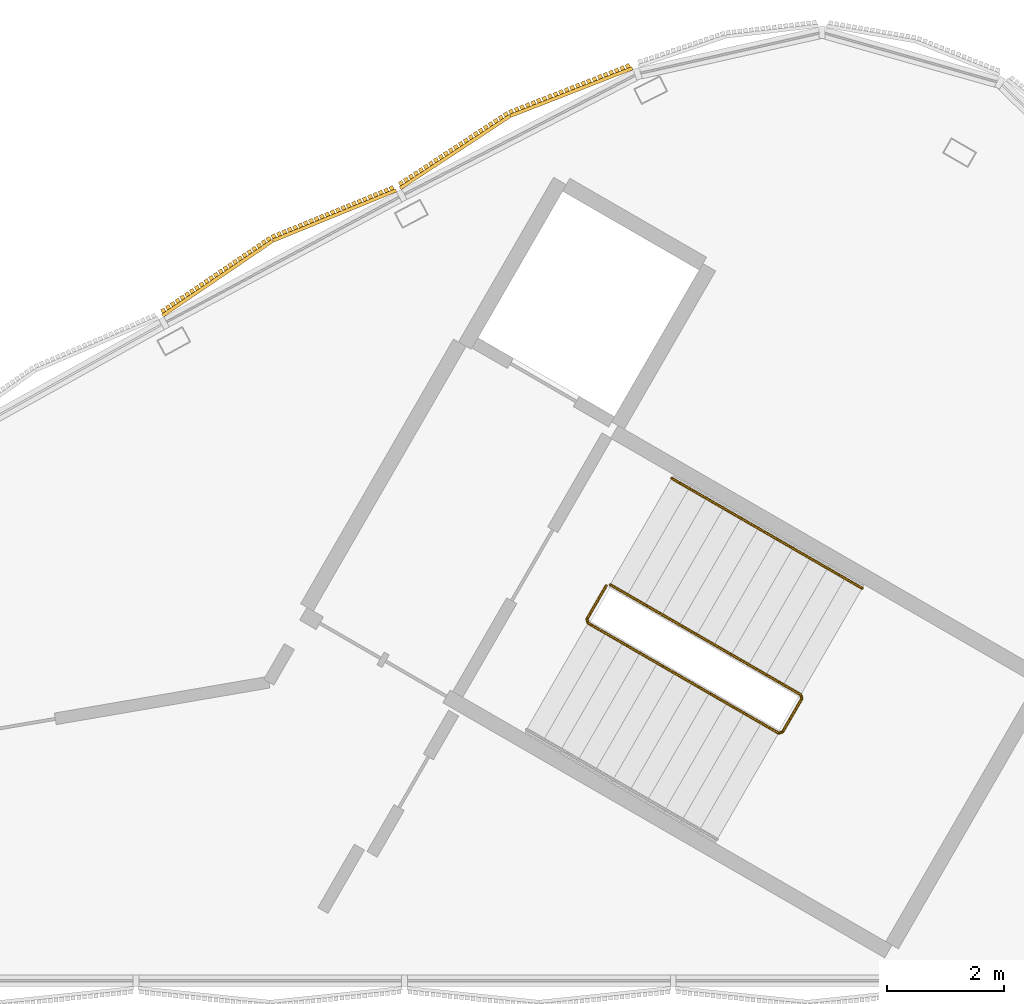
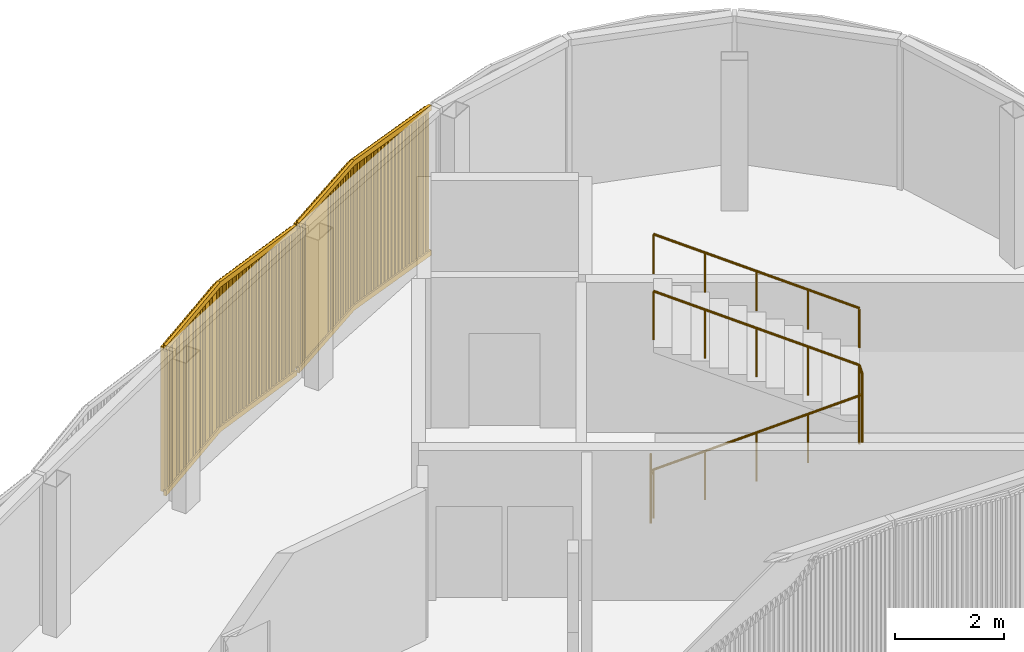
# One storey, part 14 of 16: 2 coverings, 2 railings.
"""IFC4 building model written with IfcOpenShell, lengths in metres."""

from ifc_helpers import new_model, si_unit, direction, frame, frame_2d, origin, origin_2d, place, context, subcontext, project, spatial, rectangle, circle, extrude, source, transform, mapped, material, type_object, element, save


model = new_model("IFC4")

# Units and contexts
model_context = context("Model", 3, precision=1e-05, world=origin(), true_north=direction((0.0, 1.0)))
body_context = subcontext(model_context, "Body", "Model", "MODEL_VIEW")
ifc_project = project(units=[si_unit("LENGTHUNIT", "METRE"), si_unit("AREAUNIT", "SQUARE_METRE"), si_unit("VOLUMEUNIT", "CUBIC_METRE"), si_unit("PLANEANGLEUNIT", "RADIAN"), si_unit("MASSUNIT", "GRAM", prefix="KILO")], contexts=[model_context])

# Site, building, storey
site_placement = place(None, origin())
site = spatial("IfcSite", under=ifc_project, at=site_placement, CompositionType="ELEMENT")
building_placement = place(site_placement, origin())
building = spatial("IfcBuilding", under=site, at=building_placement, Name="Tamra Quay Hotel Tower", CompositionType="ELEMENT")
storey_placement = place(building_placement, frame((0.0, 0.0, 324.199951171875)))
storey = spatial("IfcBuildingStorey", under=building, at=storey_placement, Name="Roof crown 2", CompositionType="ELEMENT", Elevation=324.199951171875)

# Railings
ifc_material_1 = material(Name="Stair guard 1100")
railing_type_1 = type_object("IfcRailingType", Name="Stair guard 1100", PredefinedType="GUARDRAIL", material=ifc_material_1)
railing_1_placement = place(storey_placement, frame((5.595458984375, 12.751953125, 0.0)))
element("IfcRailing", 1, at=railing_1_placement, inside=storey, type_object=railing_type_1, Name="GR", PredefinedType="GUARDRAIL", context=body_context, shape_type="SweptSolid", body=[
    extrude(circle(Radius=0.02392578125, at=origin_2d()), frame((0.0, 0.0, 1.076171875), z_axis=(-0.499765215335, -0.866160914346, 0.0), x_axis=(0.866160914346, -0.499765215335, 0.0)), (0.0, 0.0, 1.0), 0.658935546875),
    extrude(circle(Radius=0.02392578125, at=origin_2d()), frame((-0.329345703125, -0.57080078125, 1.076171875), z_axis=(0.110378772244, -0.410609032747, 0.905105932399), x_axis=(0.965715946433, 0.259601060869, 0.0)), (0.0, 0.0, 1.0), 0.165771484375),
    extrude(circle(Radius=0.02392578125, at=origin_2d()), frame((-0.31103515625, -0.638916015625, 1.22607421875), z_axis=(0.793078462799, -0.457933869594, 0.401650498471), x_axis=(0.500040788363, 0.866001853331, 0.0)), (0.0, 0.0, 1.0), 4.10791015625),
    extrude(circle(Radius=0.02392578125, at=origin_2d()), frame((2.94677734375, -2.52001953125, 2.8759765625), z_axis=(0.965948051503, 0.258736085224, 0.0), x_axis=(-0.258736085224, 0.965948051503, 0.0)), (0.0, 0.0, 1.0), 0.07080078125),
    extrude(circle(Radius=0.02392578125, at=origin_2d()), frame((3.01513671875, -2.501708984375, 2.8759765625), z_axis=(0.500043078269, 0.866000531106, 0.0), x_axis=(-0.866000531106, 0.500043078269, 0.0)), (0.0, 0.0, 1.0), 0.6591796875),
    extrude(circle(Radius=0.02392578125, at=origin_2d()), frame((3.3447265625, -1.930908203125, 2.8759765625), z_axis=(-0.110525977783, 0.411156637351, 0.904839338113), x_axis=(-0.965715946433, -0.259601060869, 0.0)), (0.0, 0.0, 1.0), 0.165771484375),
    extrude(circle(Radius=0.02392578125, at=origin_2d()), frame((3.326416015625, -1.86279296875, 3.02587890625), z_axis=(-0.793081581205, 0.457901355053, 0.401681409319), x_axis=(-0.500012686397, -0.866018079166, 0.0)), (0.0, 0.0, 1.0), 4.108154296875),
    extrude(circle(Radius=0.02099609375, at=origin_2d()), origin(), (0.0, 0.0, 1.0), 1.052001953125),
    extrude(circle(Radius=0.02099609375, at=origin_2d()), frame((-0.329345703125, -0.57080078125, 0.0)), (0.0, 0.0, 1.0), 1.052001953125),
    extrude(circle(Radius=0.02099609375, at=origin_2d()), frame((-0.31103515625, -0.638916015625, 0.150146484375)), (0.0, 0.0, 1.0), 1.052001953125),
    extrude(circle(Radius=0.02099609375, at=origin_2d()), frame((0.50341796875, -1.109130859375, 0.5625)), (0.0, 0.0, 1.0), 1.052001953125),
    extrude(circle(Radius=0.02099609375, at=origin_2d()), frame((1.31787109375, -1.57958984375, 0.97509765625)), (0.0, 0.0, 1.0), 1.052001953125),
    extrude(circle(Radius=0.02099609375, at=origin_2d()), frame((2.13232421875, -2.0498046875, 1.3876953125)), (0.0, 0.0, 1.0), 1.052001953125),
    extrude(circle(Radius=0.02099609375, at=origin_2d()), frame((2.94677734375, -2.52001953125, 1.800048828125)), (0.0, 0.0, 1.0), 1.052001953125),
    extrude(circle(Radius=0.02099609375, at=origin_2d()), frame((3.01513671875, -2.501708984375, 1.800048828125)), (0.0, 0.0, 1.0), 1.052001953125),
    extrude(circle(Radius=0.02099609375, at=origin_2d()), frame((3.3447265625, -1.930908203125, 1.800048828125)), (0.0, 0.0, 1.0), 1.052001953125),
    extrude(circle(Radius=0.02099609375, at=origin_2d()), frame((3.326416015625, -1.86279296875, 1.949951171875)), (0.0, 0.0, 1.0), 1.052001953125),
    extrude(circle(Radius=0.02099609375, at=origin_2d()), frame((2.511962890625, -1.392578125, 2.362548828125)), (0.0, 0.0, 1.0), 1.052001953125),
    extrude(circle(Radius=0.02099609375, at=origin_2d()), frame((1.697265625, -0.92236328125, 2.77490234375)), (0.0, 0.0, 1.0), 1.052001953125),
    extrude(circle(Radius=0.02099609375, at=origin_2d()), frame((0.8828125, -0.451904296875, 3.1875)), (0.0, 0.0, 1.0), 1.052001953125),
    extrude(circle(Radius=0.02099609375, at=origin_2d()), frame((0.068359375, 0.018310546875, 3.60009765625)), (0.0, 0.0, 1.0), 1.052001953125),
])
ifc_material_2 = material(Name="Stair handrail 900")
railing_type_2 = type_object("IfcRailingType", Name="Stair handrail 900", PredefinedType="HANDRAIL", material=ifc_material_2)
railing_2_placement = place(storey_placement, frame((9.971923828125, 12.7080078125, 1.949951171875)))
element("IfcRailing", 2, at=railing_2_placement, inside=storey, type_object=railing_type_2, Name="HR", PredefinedType="HANDRAIL", context=body_context, shape_type="SweptSolid", body=[
    extrude(circle(Radius=0.02392578125, at=origin_2d()), frame((0.0, 0.0, 0.8759765625), z_axis=(-0.793103162556, 0.457854384738, 0.401692339881), x_axis=(-0.499964013922, -0.86604617936, 0.0)), (0.0, 0.0, 1.0), 4.10791015625),
    extrude(circle(Radius=0.02099609375, at=origin_2d()), origin(), (0.0, 0.0, 1.0), 0.851806640625),
    extrude(circle(Radius=0.02099609375, at=origin_2d()), frame((-0.814453125, 0.47021484375, 0.41259765625)), (0.0, 0.0, 1.0), 0.851806640625),
    extrude(circle(Radius=0.02099609375, at=origin_2d()), frame((-1.62890625, 0.9404296875, 0.8251953125)), (0.0, 0.0, 1.0), 0.851806640625),
    extrude(circle(Radius=0.02099609375, at=origin_2d()), frame((-2.443603515625, 1.41064453125, 1.237548828125)), (0.0, 0.0, 1.0), 0.851806640625),
    extrude(circle(Radius=0.02099609375, at=origin_2d()), frame((-3.258056640625, 1.880859375, 1.650146484375)), (0.0, 0.0, 1.0), 0.851806640625),
])

# Coverings
ifc_material_3 = material(Name="Terracotta baguette extruded", Category="masonry")
covering_type = type_object("IfcCoveringType", Name="BAGUETTE SCREEN CROWN H3350", PredefinedType="USERDEFINED", material=ifc_material_3)
shared_shape_1 = source(origin(), body_context, "Body", "SweptSolid", [
    extrude(rectangle(XDim=2.244873046875, YDim=0.06005859375, at=frame_2d((1.12255859375, 0.030029296875))), frame((-2.23876953125, -0.0576171875, -0.1201171875), z_axis=(0.0, 0.0, 1.0), x_axis=(0.994521895368, -0.104528463268, 0.0)), (0.0, 0.0, 1.0), 0.1201171875),
    extrude(rectangle(XDim=2.244873046875, YDim=0.06005859375, at=frame_2d((1.12255859375, 0.030029296875))), frame((-2.23876953125, -0.0576171875, -3.35009765625), z_axis=(0.0, 0.0, 1.0), x_axis=(0.994521895368, -0.104528463268, 0.0)), (0.0, 0.0, 1.0), 0.1201171875),
    extrude(rectangle(XDim=0.070068359375, YDim=0.10009765625, at=frame_2d((0.03515625, 0.050048828125))), frame((-2.216796875, -0.13330078125, -3.2900390625)), (0.0, 0.0, 1.0), 3.22998046875),
    extrude(rectangle(XDim=0.070068359375, YDim=0.10009765625, at=frame_2d((0.03515625, 0.050048828125))), frame((-2.115234375, -0.14404296875, -3.2900390625)), (0.0, 0.0, 1.0), 3.22998046875),
    extrude(rectangle(XDim=0.070068359375, YDim=0.10009765625, at=frame_2d((0.03515625, 0.050048828125))), frame((-2.013916015625, -0.154541015625, -3.2900390625)), (0.0, 0.0, 1.0), 3.22998046875),
    extrude(rectangle(XDim=0.070068359375, YDim=0.10009765625, at=frame_2d((0.03515625, 0.050048828125))), frame((-1.912353515625, -0.165283203125, -3.2900390625)), (0.0, 0.0, 1.0), 3.22998046875),
    extrude(rectangle(XDim=0.070068359375, YDim=0.10009765625, at=frame_2d((0.03515625, 0.050048828125))), frame((-1.810791015625, -0.176025390625, -3.2900390625)), (0.0, 0.0, 1.0), 3.22998046875),
    extrude(rectangle(XDim=0.070068359375, YDim=0.10009765625, at=frame_2d((0.03515625, 0.050048828125))), frame((-1.70947265625, -0.186767578125, -3.2900390625)), (0.0, 0.0, 1.0), 3.22998046875),
    extrude(rectangle(XDim=0.070068359375, YDim=0.10009765625, at=frame_2d((0.03515625, 0.050048828125))), frame((-1.60791015625, -0.197265625, -3.2900390625)), (0.0, 0.0, 1.0), 3.22998046875),
    extrude(rectangle(XDim=0.070068359375, YDim=0.10009765625, at=frame_2d((0.03515625, 0.050048828125))), frame((-1.50634765625, -0.2080078125, -3.2900390625)), (0.0, 0.0, 1.0), 3.22998046875),
    extrude(rectangle(XDim=0.070068359375, YDim=0.10009765625, at=frame_2d((0.03515625, 0.050048828125))), frame((-1.405029296875, -0.21875, -3.2900390625)), (0.0, 0.0, 1.0), 3.22998046875),
    extrude(rectangle(XDim=0.070068359375, YDim=0.10009765625, at=frame_2d((0.03515625, 0.050048828125))), frame((-1.303466796875, -0.229248046875, -3.2900390625)), (0.0, 0.0, 1.0), 3.22998046875),
    extrude(rectangle(XDim=0.070068359375, YDim=0.10009765625, at=frame_2d((0.03515625, 0.050048828125))), frame((-1.201904296875, -0.239990234375, -3.2900390625)), (0.0, 0.0, 1.0), 3.22998046875),
    extrude(rectangle(XDim=0.070068359375, YDim=0.10009765625, at=frame_2d((0.03515625, 0.050048828125))), frame((-1.1005859375, -0.250732421875, -3.2900390625)), (0.0, 0.0, 1.0), 3.22998046875),
    extrude(rectangle(XDim=0.070068359375, YDim=0.10009765625, at=frame_2d((0.03515625, 0.050048828125))), frame((-0.9990234375, -0.26123046875, -3.2900390625)), (0.0, 0.0, 1.0), 3.22998046875),
    extrude(rectangle(XDim=0.070068359375, YDim=0.10009765625, at=frame_2d((0.03515625, 0.050048828125))), frame((-0.8974609375, -0.27197265625, -3.2900390625)), (0.0, 0.0, 1.0), 3.22998046875),
    extrude(rectangle(XDim=0.070068359375, YDim=0.10009765625, at=frame_2d((0.03515625, 0.050048828125))), frame((-0.796142578125, -0.28271484375, -3.2900390625)), (0.0, 0.0, 1.0), 3.22998046875),
    extrude(rectangle(XDim=0.070068359375, YDim=0.10009765625, at=frame_2d((0.03515625, 0.050048828125))), frame((-0.694580078125, -0.293212890625, -3.2900390625)), (0.0, 0.0, 1.0), 3.22998046875),
    extrude(rectangle(XDim=0.070068359375, YDim=0.10009765625, at=frame_2d((0.03515625, 0.050048828125))), frame((-0.593017578125, -0.303955078125, -3.2900390625)), (0.0, 0.0, 1.0), 3.22998046875),
    extrude(rectangle(XDim=0.070068359375, YDim=0.10009765625, at=frame_2d((0.03515625, 0.050048828125))), frame((-0.49169921875, -0.314697265625, -3.2900390625)), (0.0, 0.0, 1.0), 3.22998046875),
    extrude(rectangle(XDim=0.070068359375, YDim=0.10009765625, at=frame_2d((0.03515625, 0.050048828125))), frame((-0.39013671875, -0.325439453125, -3.2900390625)), (0.0, 0.0, 1.0), 3.22998046875),
    extrude(rectangle(XDim=0.070068359375, YDim=0.10009765625, at=frame_2d((0.03515625, 0.050048828125))), frame((-0.28857421875, -0.3359375, -3.2900390625)), (0.0, 0.0, 1.0), 3.22998046875),
    extrude(rectangle(XDim=0.070068359375, YDim=0.10009765625, at=frame_2d((0.03515625, 0.050048828125))), frame((-0.187255859375, -0.3466796875, -3.2900390625)), (0.0, 0.0, 1.0), 3.22998046875),
    extrude(rectangle(XDim=0.070068359375, YDim=0.10009765625, at=frame_2d((0.03515625, 0.050048828125))), frame((-0.085693359375, -0.357421875, -3.2900390625)), (0.0, 0.0, 1.0), 3.22998046875),
    extrude(rectangle(XDim=2.244873046875, YDim=0.06005859375, at=frame_2d((1.12255859375, 0.030029296875))), frame((0.00634765625, -0.292236328125, -0.1201171875), z_axis=(0.0, 0.0, 1.0), x_axis=(0.994521895368, 0.104528463268, 0.0)), (0.0, 0.0, 1.0), 0.1201171875),
    extrude(rectangle(XDim=2.244873046875, YDim=0.06005859375, at=frame_2d((1.12255859375, 0.030029296875))), frame((0.00634765625, -0.292236328125, -3.35009765625), z_axis=(0.0, 0.0, 1.0), x_axis=(0.994521895368, 0.104528463268, 0.0)), (0.0, 0.0, 1.0), 0.1201171875),
    extrude(rectangle(XDim=0.070068359375, YDim=0.10009765625, at=frame_2d((0.03515625, 0.050048828125))), frame((0.015625, -0.357421875, -3.2900390625)), (0.0, 0.0, 1.0), 3.22998046875),
    extrude(rectangle(XDim=0.070068359375, YDim=0.10009765625, at=frame_2d((0.03515625, 0.050048828125))), frame((0.1171875, -0.3466796875, -3.2900390625)), (0.0, 0.0, 1.0), 3.22998046875),
    extrude(rectangle(XDim=0.070068359375, YDim=0.10009765625, at=frame_2d((0.03515625, 0.050048828125))), frame((0.21875, -0.3359375, -3.2900390625)), (0.0, 0.0, 1.0), 3.22998046875),
    extrude(rectangle(XDim=0.070068359375, YDim=0.10009765625, at=frame_2d((0.03515625, 0.050048828125))), frame((0.320068359375, -0.325439453125, -3.2900390625)), (0.0, 0.0, 1.0), 3.22998046875),
    extrude(rectangle(XDim=0.070068359375, YDim=0.10009765625, at=frame_2d((0.03515625, 0.050048828125))), frame((0.421630859375, -0.314697265625, -3.2900390625)), (0.0, 0.0, 1.0), 3.22998046875),
    extrude(rectangle(XDim=0.070068359375, YDim=0.10009765625, at=frame_2d((0.03515625, 0.050048828125))), frame((0.523193359375, -0.303955078125, -3.2900390625)), (0.0, 0.0, 1.0), 3.22998046875),
    extrude(rectangle(XDim=0.070068359375, YDim=0.10009765625, at=frame_2d((0.03515625, 0.050048828125))), frame((0.62451171875, -0.293212890625, -3.2900390625)), (0.0, 0.0, 1.0), 3.22998046875),
    extrude(rectangle(XDim=0.070068359375, YDim=0.10009765625, at=frame_2d((0.03515625, 0.050048828125))), frame((0.72607421875, -0.28271484375, -3.2900390625)), (0.0, 0.0, 1.0), 3.22998046875),
    extrude(rectangle(XDim=0.070068359375, YDim=0.10009765625, at=frame_2d((0.03515625, 0.050048828125))), frame((0.82763671875, -0.27197265625, -3.2900390625)), (0.0, 0.0, 1.0), 3.22998046875),
    extrude(rectangle(XDim=0.070068359375, YDim=0.10009765625, at=frame_2d((0.03515625, 0.050048828125))), frame((0.928955078125, -0.26123046875, -3.2900390625)), (0.0, 0.0, 1.0), 3.22998046875),
    extrude(rectangle(XDim=0.070068359375, YDim=0.10009765625, at=frame_2d((0.03515625, 0.050048828125))), frame((1.030517578125, -0.250732421875, -3.2900390625)), (0.0, 0.0, 1.0), 3.22998046875),
    extrude(rectangle(XDim=0.070068359375, YDim=0.10009765625, at=frame_2d((0.03515625, 0.050048828125))), frame((1.132080078125, -0.239990234375, -3.2900390625)), (0.0, 0.0, 1.0), 3.22998046875),
    extrude(rectangle(XDim=0.070068359375, YDim=0.10009765625, at=frame_2d((0.03515625, 0.050048828125))), frame((1.2333984375, -0.229248046875, -3.2900390625)), (0.0, 0.0, 1.0), 3.22998046875),
    extrude(rectangle(XDim=0.070068359375, YDim=0.10009765625, at=frame_2d((0.03515625, 0.050048828125))), frame((1.3349609375, -0.21875, -3.2900390625)), (0.0, 0.0, 1.0), 3.22998046875),
    extrude(rectangle(XDim=0.070068359375, YDim=0.10009765625, at=frame_2d((0.03515625, 0.050048828125))), frame((1.4365234375, -0.2080078125, -3.2900390625)), (0.0, 0.0, 1.0), 3.22998046875),
    extrude(rectangle(XDim=0.070068359375, YDim=0.10009765625, at=frame_2d((0.03515625, 0.050048828125))), frame((1.537841796875, -0.197265625, -3.2900390625)), (0.0, 0.0, 1.0), 3.22998046875),
    extrude(rectangle(XDim=0.070068359375, YDim=0.10009765625, at=frame_2d((0.03515625, 0.050048828125))), frame((1.639404296875, -0.186767578125, -3.2900390625)), (0.0, 0.0, 1.0), 3.22998046875),
    extrude(rectangle(XDim=0.070068359375, YDim=0.10009765625, at=frame_2d((0.03515625, 0.050048828125))), frame((1.740966796875, -0.176025390625, -3.2900390625)), (0.0, 0.0, 1.0), 3.22998046875),
    extrude(rectangle(XDim=0.070068359375, YDim=0.10009765625, at=frame_2d((0.03515625, 0.050048828125))), frame((1.84228515625, -0.165283203125, -3.2900390625)), (0.0, 0.0, 1.0), 3.22998046875),
    extrude(rectangle(XDim=0.070068359375, YDim=0.10009765625, at=frame_2d((0.03515625, 0.050048828125))), frame((1.94384765625, -0.154541015625, -3.2900390625)), (0.0, 0.0, 1.0), 3.22998046875),
    extrude(rectangle(XDim=0.070068359375, YDim=0.10009765625, at=frame_2d((0.03515625, 0.050048828125))), frame((2.045166015625, -0.14404296875, -3.2900390625)), (0.0, 0.0, 1.0), 3.22998046875),
    extrude(rectangle(XDim=0.070068359375, YDim=0.10009765625, at=frame_2d((0.03515625, 0.050048828125))), frame((2.146728515625, -0.13330078125, -3.2900390625)), (0.0, 0.0, 1.0), 3.22998046875),
])
covering_1_placement = place(storey_placement, frame((4.072021484375, 20.548583984375, 3.35009765625), z_axis=(0.0, 0.0, 1.0), x_axis=(-0.888486270479, -0.458903200218, 0.0)))
element("IfcCovering", 3, at=covering_1_placement, inside=storey, type_object=covering_type, Name="Baguette screen Roof crown 2.A.f05", ObjectType="BAGUETTE SCREEN", PredefinedType="USERDEFINED", context=body_context, shape_type="MappedRepresentation", body=[
    mapped(shared_shape_1, transform((0.0, 0.0, 0.0), scale=1.0)),
])
shared_shape_2 = source(origin(), body_context, "Body", "SweptSolid", [
    extrude(rectangle(XDim=2.27490234375, YDim=0.06005859375, at=frame_2d((1.137451171875, 0.030029296875))), frame((-2.268798828125, -0.0576171875, -0.1201171875), z_axis=(0.0, 0.0, 1.0), x_axis=(0.994521895368, -0.104528463268, 0.0)), (0.0, 0.0, 1.0), 0.1201171875),
    extrude(rectangle(XDim=2.27490234375, YDim=0.06005859375, at=frame_2d((1.137451171875, 0.030029296875))), frame((-2.268798828125, -0.0576171875, -3.35009765625), z_axis=(0.0, 0.0, 1.0), x_axis=(0.994521895368, -0.104528463268, 0.0)), (0.0, 0.0, 1.0), 0.1201171875),
    extrude(rectangle(XDim=0.070068359375, YDim=0.10009765625, at=frame_2d((0.03515625, 0.050048828125))), frame((-2.248291015625, -0.133056640625, -3.2900390625)), (0.0, 0.0, 1.0), 3.22998046875),
    extrude(rectangle(XDim=0.070068359375, YDim=0.10009765625, at=frame_2d((0.03515625, 0.050048828125))), frame((-2.14990234375, -0.1435546875, -3.2900390625)), (0.0, 0.0, 1.0), 3.22998046875),
    extrude(rectangle(XDim=0.070068359375, YDim=0.10009765625, at=frame_2d((0.03515625, 0.050048828125))), frame((-2.051513671875, -0.15380859375, -3.2900390625)), (0.0, 0.0, 1.0), 3.22998046875),
    extrude(rectangle(XDim=0.070068359375, YDim=0.10009765625, at=frame_2d((0.03515625, 0.050048828125))), frame((-1.953125, -0.164306640625, -3.2900390625)), (0.0, 0.0, 1.0), 3.22998046875),
    extrude(rectangle(XDim=0.070068359375, YDim=0.10009765625, at=frame_2d((0.03515625, 0.050048828125))), frame((-1.854736328125, -0.174560546875, -3.2900390625)), (0.0, 0.0, 1.0), 3.22998046875),
    extrude(rectangle(XDim=0.070068359375, YDim=0.10009765625, at=frame_2d((0.03515625, 0.050048828125))), frame((-1.756591796875, -0.184814453125, -3.2900390625)), (0.0, 0.0, 1.0), 3.22998046875),
    extrude(rectangle(XDim=0.070068359375, YDim=0.10009765625, at=frame_2d((0.03515625, 0.050048828125))), frame((-1.658203125, -0.1953125, -3.2900390625)), (0.0, 0.0, 1.0), 3.22998046875),
    extrude(rectangle(XDim=0.070068359375, YDim=0.10009765625, at=frame_2d((0.03515625, 0.050048828125))), frame((-1.559814453125, -0.20556640625, -3.2900390625)), (0.0, 0.0, 1.0), 3.22998046875),
    extrude(rectangle(XDim=0.070068359375, YDim=0.10009765625, at=frame_2d((0.03515625, 0.050048828125))), frame((-1.46142578125, -0.2158203125, -3.2900390625)), (0.0, 0.0, 1.0), 3.22998046875),
    extrude(rectangle(XDim=0.070068359375, YDim=0.10009765625, at=frame_2d((0.03515625, 0.050048828125))), frame((-1.363037109375, -0.226318359375, -3.2900390625)), (0.0, 0.0, 1.0), 3.22998046875),
    extrude(rectangle(XDim=0.070068359375, YDim=0.10009765625, at=frame_2d((0.03515625, 0.050048828125))), frame((-1.2646484375, -0.236572265625, -3.2900390625)), (0.0, 0.0, 1.0), 3.22998046875),
    extrude(rectangle(XDim=0.070068359375, YDim=0.10009765625, at=frame_2d((0.03515625, 0.050048828125))), frame((-1.166259765625, -0.246826171875, -3.2900390625)), (0.0, 0.0, 1.0), 3.22998046875),
    extrude(rectangle(XDim=0.070068359375, YDim=0.10009765625, at=frame_2d((0.03515625, 0.050048828125))), frame((-1.06787109375, -0.25732421875, -3.2900390625)), (0.0, 0.0, 1.0), 3.22998046875),
    extrude(rectangle(XDim=0.070068359375, YDim=0.10009765625, at=frame_2d((0.03515625, 0.050048828125))), frame((-0.969482421875, -0.267578125, -3.2900390625)), (0.0, 0.0, 1.0), 3.22998046875),
    extrude(rectangle(XDim=0.070068359375, YDim=0.10009765625, at=frame_2d((0.03515625, 0.050048828125))), frame((-0.87109375, -0.27783203125, -3.2900390625)), (0.0, 0.0, 1.0), 3.22998046875),
    extrude(rectangle(XDim=0.070068359375, YDim=0.10009765625, at=frame_2d((0.03515625, 0.050048828125))), frame((-0.772705078125, -0.288330078125, -3.2900390625)), (0.0, 0.0, 1.0), 3.22998046875),
    extrude(rectangle(XDim=0.070068359375, YDim=0.10009765625, at=frame_2d((0.03515625, 0.050048828125))), frame((-0.67431640625, -0.298583984375, -3.2900390625)), (0.0, 0.0, 1.0), 3.22998046875),
    extrude(rectangle(XDim=0.070068359375, YDim=0.10009765625, at=frame_2d((0.03515625, 0.050048828125))), frame((-0.575927734375, -0.308837890625, -3.2900390625)), (0.0, 0.0, 1.0), 3.22998046875),
    extrude(rectangle(XDim=0.070068359375, YDim=0.10009765625, at=frame_2d((0.03515625, 0.050048828125))), frame((-0.4775390625, -0.3193359375, -3.2900390625)), (0.0, 0.0, 1.0), 3.22998046875),
    extrude(rectangle(XDim=0.070068359375, YDim=0.10009765625, at=frame_2d((0.03515625, 0.050048828125))), frame((-0.37939453125, -0.32958984375, -3.2900390625)), (0.0, 0.0, 1.0), 3.22998046875),
    extrude(rectangle(XDim=0.070068359375, YDim=0.10009765625, at=frame_2d((0.03515625, 0.050048828125))), frame((-0.281005859375, -0.33984375, -3.2900390625)), (0.0, 0.0, 1.0), 3.22998046875),
    extrude(rectangle(XDim=0.070068359375, YDim=0.10009765625, at=frame_2d((0.03515625, 0.050048828125))), frame((-0.1826171875, -0.350341796875, -3.2900390625)), (0.0, 0.0, 1.0), 3.22998046875),
    extrude(rectangle(XDim=0.070068359375, YDim=0.10009765625, at=frame_2d((0.03515625, 0.050048828125))), frame((-0.084228515625, -0.360595703125, -3.2900390625)), (0.0, 0.0, 1.0), 3.22998046875),
    extrude(rectangle(XDim=2.27490234375, YDim=0.06005859375, at=frame_2d((1.137451171875, 0.030029296875))), frame((0.00634765625, -0.29541015625, -0.1201171875), z_axis=(0.0, 0.0, 1.0), x_axis=(0.994521895368, 0.104528463268, 0.0)), (0.0, 0.0, 1.0), 0.1201171875),
    extrude(rectangle(XDim=2.27490234375, YDim=0.06005859375, at=frame_2d((1.137451171875, 0.030029296875))), frame((0.00634765625, -0.29541015625, -3.35009765625), z_axis=(0.0, 0.0, 1.0), x_axis=(0.994521895368, 0.104528463268, 0.0)), (0.0, 0.0, 1.0), 0.1201171875),
    extrude(rectangle(XDim=0.070068359375, YDim=0.10009765625, at=frame_2d((0.03515625, 0.050048828125))), frame((0.01416015625, -0.360595703125, -3.2900390625)), (0.0, 0.0, 1.0), 3.22998046875),
    extrude(rectangle(XDim=0.070068359375, YDim=0.10009765625, at=frame_2d((0.03515625, 0.050048828125))), frame((0.112548828125, -0.350341796875, -3.2900390625)), (0.0, 0.0, 1.0), 3.22998046875),
    extrude(rectangle(XDim=0.070068359375, YDim=0.10009765625, at=frame_2d((0.03515625, 0.050048828125))), frame((0.2109375, -0.33984375, -3.2900390625)), (0.0, 0.0, 1.0), 3.22998046875),
    extrude(rectangle(XDim=0.070068359375, YDim=0.10009765625, at=frame_2d((0.03515625, 0.050048828125))), frame((0.309326171875, -0.32958984375, -3.2900390625)), (0.0, 0.0, 1.0), 3.22998046875),
    extrude(rectangle(XDim=0.070068359375, YDim=0.10009765625, at=frame_2d((0.03515625, 0.050048828125))), frame((0.40771484375, -0.3193359375, -3.2900390625)), (0.0, 0.0, 1.0), 3.22998046875),
    extrude(rectangle(XDim=0.070068359375, YDim=0.10009765625, at=frame_2d((0.03515625, 0.050048828125))), frame((0.506103515625, -0.308837890625, -3.2900390625)), (0.0, 0.0, 1.0), 3.22998046875),
    extrude(rectangle(XDim=0.070068359375, YDim=0.10009765625, at=frame_2d((0.03515625, 0.050048828125))), frame((0.6044921875, -0.298583984375, -3.2900390625)), (0.0, 0.0, 1.0), 3.22998046875),
    extrude(rectangle(XDim=0.070068359375, YDim=0.10009765625, at=frame_2d((0.03515625, 0.050048828125))), frame((0.702880859375, -0.288330078125, -3.2900390625)), (0.0, 0.0, 1.0), 3.22998046875),
    extrude(rectangle(XDim=0.070068359375, YDim=0.10009765625, at=frame_2d((0.03515625, 0.050048828125))), frame((0.801025390625, -0.27783203125, -3.2900390625)), (0.0, 0.0, 1.0), 3.22998046875),
    extrude(rectangle(XDim=0.070068359375, YDim=0.10009765625, at=frame_2d((0.03515625, 0.050048828125))), frame((0.8994140625, -0.267578125, -3.2900390625)), (0.0, 0.0, 1.0), 3.22998046875),
    extrude(rectangle(XDim=0.070068359375, YDim=0.10009765625, at=frame_2d((0.03515625, 0.050048828125))), frame((0.997802734375, -0.25732421875, -3.2900390625)), (0.0, 0.0, 1.0), 3.22998046875),
    extrude(rectangle(XDim=0.070068359375, YDim=0.10009765625, at=frame_2d((0.03515625, 0.050048828125))), frame((1.09619140625, -0.246826171875, -3.2900390625)), (0.0, 0.0, 1.0), 3.22998046875),
    extrude(rectangle(XDim=0.070068359375, YDim=0.10009765625, at=frame_2d((0.03515625, 0.050048828125))), frame((1.194580078125, -0.236572265625, -3.2900390625)), (0.0, 0.0, 1.0), 3.22998046875),
    extrude(rectangle(XDim=0.070068359375, YDim=0.10009765625, at=frame_2d((0.03515625, 0.050048828125))), frame((1.29296875, -0.226318359375, -3.2900390625)), (0.0, 0.0, 1.0), 3.22998046875),
    extrude(rectangle(XDim=0.070068359375, YDim=0.10009765625, at=frame_2d((0.03515625, 0.050048828125))), frame((1.391357421875, -0.2158203125, -3.2900390625)), (0.0, 0.0, 1.0), 3.22998046875),
    extrude(rectangle(XDim=0.070068359375, YDim=0.10009765625, at=frame_2d((0.03515625, 0.050048828125))), frame((1.48974609375, -0.20556640625, -3.2900390625)), (0.0, 0.0, 1.0), 3.22998046875),
    extrude(rectangle(XDim=0.070068359375, YDim=0.10009765625, at=frame_2d((0.03515625, 0.050048828125))), frame((1.588134765625, -0.1953125, -3.2900390625)), (0.0, 0.0, 1.0), 3.22998046875),
    extrude(rectangle(XDim=0.070068359375, YDim=0.10009765625, at=frame_2d((0.03515625, 0.050048828125))), frame((1.6865234375, -0.184814453125, -3.2900390625)), (0.0, 0.0, 1.0), 3.22998046875),
    extrude(rectangle(XDim=0.070068359375, YDim=0.10009765625, at=frame_2d((0.03515625, 0.050048828125))), frame((1.784912109375, -0.174560546875, -3.2900390625)), (0.0, 0.0, 1.0), 3.22998046875),
    extrude(rectangle(XDim=0.070068359375, YDim=0.10009765625, at=frame_2d((0.03515625, 0.050048828125))), frame((1.88330078125, -0.164306640625, -3.2900390625)), (0.0, 0.0, 1.0), 3.22998046875),
    extrude(rectangle(XDim=0.070068359375, YDim=0.10009765625, at=frame_2d((0.03515625, 0.050048828125))), frame((1.981689453125, -0.15380859375, -3.2900390625)), (0.0, 0.0, 1.0), 3.22998046875),
    extrude(rectangle(XDim=0.070068359375, YDim=0.10009765625, at=frame_2d((0.03515625, 0.050048828125))), frame((2.079833984375, -0.1435546875, -3.2900390625)), (0.0, 0.0, 1.0), 3.22998046875),
    extrude(rectangle(XDim=0.070068359375, YDim=0.10009765625, at=frame_2d((0.03515625, 0.050048828125))), frame((2.17822265625, -0.133056640625, -3.2900390625)), (0.0, 0.0, 1.0), 3.22998046875),
])
covering_2_placement = place(storey_placement, frame((0.021484375, 18.416015625, 3.35009765625), z_axis=(0.0, 0.0, 1.0), x_axis=(-0.881223582111, -0.472699691486, 0.0)))
element("IfcCovering", 4, at=covering_2_placement, inside=storey, type_object=covering_type, Name="Baguette screen Roof crown 2.A.f06", ObjectType="BAGUETTE SCREEN", PredefinedType="USERDEFINED", context=body_context, shape_type="MappedRepresentation", body=[
    mapped(shared_shape_2, transform((0.0, 0.0, 0.0), scale=1.0)),
])

save(model, "model.ifc")
